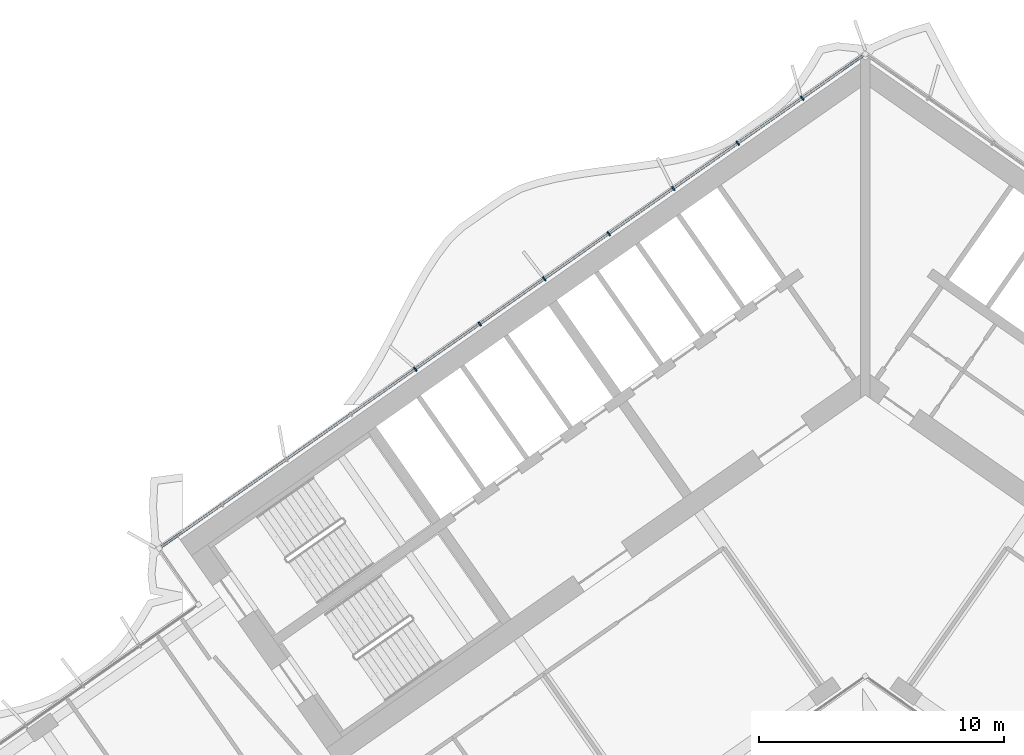
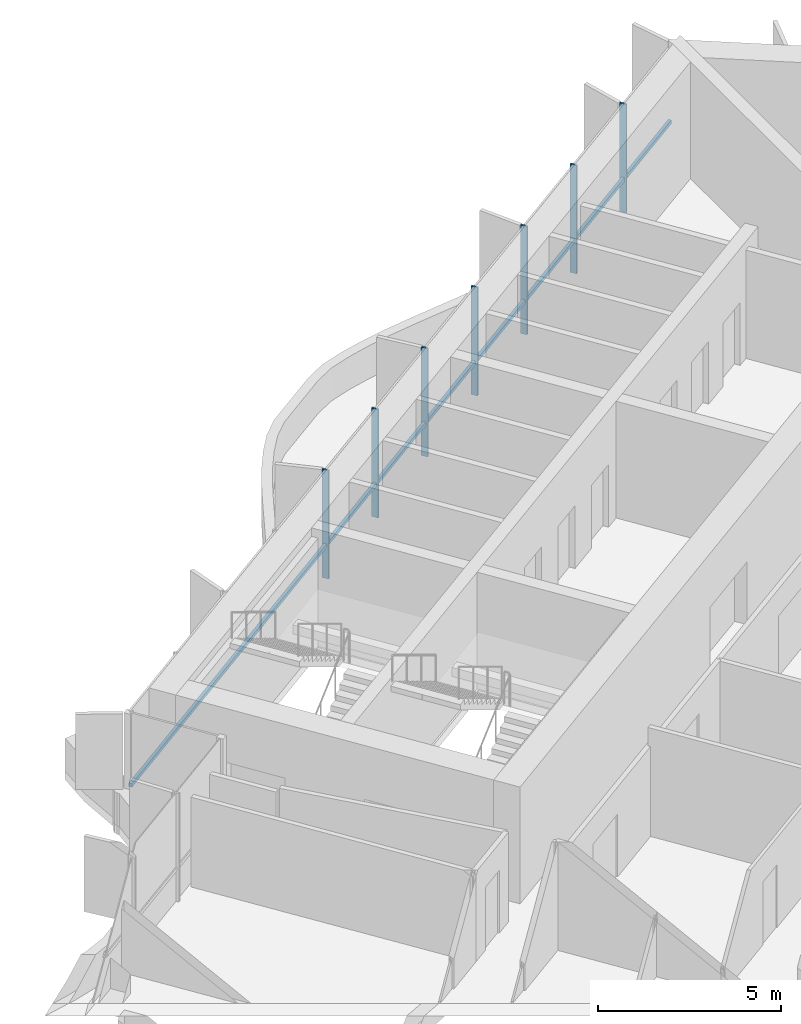
# One storey, part 7 of 21: 8 members, 1 element without a shape of its own.
"""IFC4 building model written with IfcOpenShell, lengths in metres."""

from ifc_helpers import new_model, si_unit, direction, frame, origin, origin_2d, place, context, subcontext, project, spatial, rectangle, extrude, material, material_profile, profile_set, type_object, element, aggregate, save


model = new_model("IFC4")

# Units and contexts
model_context = context("Model", 3, precision=1e-05, world=origin(), true_north=direction((0.0, 1.0)))
body_context = subcontext(model_context, "Body", "Model", "MODEL_VIEW")
ifc_project = project(units=[si_unit("LENGTHUNIT", "METRE"), si_unit("AREAUNIT", "SQUARE_METRE"), si_unit("VOLUMEUNIT", "CUBIC_METRE"), si_unit("PLANEANGLEUNIT", "RADIAN"), si_unit("MASSUNIT", "GRAM", prefix="KILO")], contexts=[model_context])

# Site, building, storey
site_placement = place(None, origin())
site = spatial("IfcSite", under=ifc_project, at=site_placement, CompositionType="ELEMENT")
building_placement = place(site_placement, origin())
building = spatial("IfcBuilding", under=site, at=building_placement, Name="Tel Ilan Convention Tower", CompositionType="ELEMENT")
storey_placement = place(building_placement, frame((0.0, 0.0, 139.800048828125)))
storey = spatial("IfcBuildingStorey", under=building, at=storey_placement, Name="L31", CompositionType="ELEMENT", Elevation=139.800048828125)

# Curtain wall, members
ifc_material_1 = material(Name="Aluminium, bronze anodised", Category="aluminium")
curtain_wall_type = type_object("IfcCurtainWallType", Name="CW2 STICK CURTAIN WALL, SPANDREL PANELS", PredefinedType="NOTDEFINED", material=ifc_material_1)
curtain_wall_placement = place(storey_placement, origin())
curtain_wall = element("IfcCurtainWall", 1, at=curtain_wall_placement, inside=storey, type_object=curtain_wall_type, Name="Curtain wall CW2-25.01", PredefinedType="NOTDEFINED")
ifc_material_2 = material(Name="Aluminium, bronze anodised", Category="aluminium")
ifc_material_profile_1 = material_profile(ifc_material_2, rectangle(XDim=0.06005859375, YDim=0.199951171875, at=origin_2d()), Name="CW MULLION 60x200")
ifc_profile_set_1 = profile_set([ifc_material_profile_1], Name="Aluminium, bronze anodised")
member_type_1 = type_object("IfcMemberType", Name="CW MULLION 60x200", PredefinedType="MULLION", material=ifc_profile_set_1)
member_1_placement = place(storey_placement, frame((-2.5751953125, 10.892822265625, 0.0), z_axis=(0.0, 0.0, 1.0), x_axis=(-0.819152044289, -0.573576436351, 0.0)))
member_1 = element("IfcMember", 2, at=member_1_placement, type_object=member_type_1, Name="Mullion", PredefinedType="MULLION", context=body_context, shape_type="SweptSolid", body=[
    extrude(rectangle(XDim=0.06005859375, YDim=0.199951171875, at=origin_2d()), origin(), (0.0, 0.0, 1.0), 3.619873046875),
])
member_2_placement = place(storey_placement, frame((-5.207763671875, 9.049560546875, 0.0), z_axis=(0.0, 0.0, 1.0), x_axis=(-0.819152044289, -0.573576436351, 0.0)))
member_2 = element("IfcMember", 3, at=member_2_placement, type_object=member_type_1, Name="Mullion", PredefinedType="MULLION", context=body_context, shape_type="SweptSolid", body=[
    extrude(rectangle(XDim=0.06005859375, YDim=0.199951171875, at=origin_2d()), origin(), (0.0, 0.0, 1.0), 3.619873046875),
])
member_3_placement = place(storey_placement, frame((-7.840576171875, 7.2060546875, 0.0), z_axis=(0.0, 0.0, 1.0), x_axis=(-0.819152044289, -0.573576436351, 0.0)))
member_3 = element("IfcMember", 4, at=member_3_placement, type_object=member_type_1, Name="Mullion", PredefinedType="MULLION", context=body_context, shape_type="SweptSolid", body=[
    extrude(rectangle(XDim=0.06005859375, YDim=0.199951171875, at=origin_2d()), origin(), (0.0, 0.0, 1.0), 3.619873046875),
])
member_4_placement = place(storey_placement, frame((-10.47314453125, 5.36279296875, 0.0), z_axis=(0.0, 0.0, 1.0), x_axis=(-0.819152044289, -0.573576436351, 0.0)))
member_4 = element("IfcMember", 5, at=member_4_placement, type_object=member_type_1, Name="Mullion", PredefinedType="MULLION", context=body_context, shape_type="SweptSolid", body=[
    extrude(rectangle(XDim=0.06005859375, YDim=0.199951171875, at=origin_2d()), origin(), (0.0, 0.0, 1.0), 3.619873046875),
])
member_5_placement = place(storey_placement, frame((-13.105712890625, 3.519287109375, 0.0), z_axis=(0.0, 0.0, 1.0), x_axis=(-0.819152044289, -0.573576436351, 0.0)))
member_5 = element("IfcMember", 6, at=member_5_placement, type_object=member_type_1, Name="Mullion", PredefinedType="MULLION", context=body_context, shape_type="SweptSolid", body=[
    extrude(rectangle(XDim=0.06005859375, YDim=0.199951171875, at=origin_2d()), origin(), (0.0, 0.0, 1.0), 3.619873046875),
])
member_6_placement = place(storey_placement, frame((-15.73828125, 1.676025390625, 0.0), z_axis=(0.0, 0.0, 1.0), x_axis=(-0.819152044289, -0.573576436351, 0.0)))
member_6 = element("IfcMember", 7, at=member_6_placement, type_object=member_type_1, Name="Mullion", PredefinedType="MULLION", context=body_context, shape_type="SweptSolid", body=[
    extrude(rectangle(XDim=0.06005859375, YDim=0.199951171875, at=origin_2d()), origin(), (0.0, 0.0, 1.0), 3.619873046875),
])
member_7_placement = place(storey_placement, frame((-18.37109375, -0.16748046875, 0.0), z_axis=(0.0, 0.0, 1.0), x_axis=(-0.819152044289, -0.573576436351, 0.0)))
member_7 = element("IfcMember", 8, at=member_7_placement, type_object=member_type_1, Name="Mullion", PredefinedType="MULLION", context=body_context, shape_type="SweptSolid", body=[
    extrude(rectangle(XDim=0.06005859375, YDim=0.199951171875, at=origin_2d()), origin(), (0.0, 0.0, 1.0), 3.619873046875),
])
ifc_material_3 = material(Name="Aluminium, bronze anodised", Category="aluminium")
ifc_material_profile_2 = material_profile(ifc_material_3, rectangle(XDim=0.10009765625, YDim=0.1201171875, at=origin_2d()), Name="CW TRANSOM 100x120")
ifc_profile_set_2 = profile_set([ifc_material_profile_2], Name="Aluminium, bronze anodised")
member_type_2 = type_object("IfcMemberType", Name="CW TRANSOM 100x120", PredefinedType="USERDEFINED", material=ifc_profile_set_2)
member_8_placement = place(storey_placement, frame((-0.1064453125, 12.62158203125, 1.099853515625), z_axis=(-0.819150201937, -0.573579067494, 0.0), x_axis=(0.573579067494, -0.819150201937, 0.0)))
member_8 = element("IfcMember", 9, at=member_8_placement, type_object=member_type_2, Name="Transom", ObjectType="TRANSOM", PredefinedType="USERDEFINED", context=body_context, shape_type="SweptSolid", body=[
    extrude(rectangle(XDim=0.10009765625, YDim=0.1201171875, at=origin_2d()), origin(), (0.0, 0.0, 1.0), 34.9521484375),
])
aggregate(curtain_wall, [member_1, member_2, member_3, member_4, member_5, member_6, member_7, member_8])

save(model, "model.ifc")
